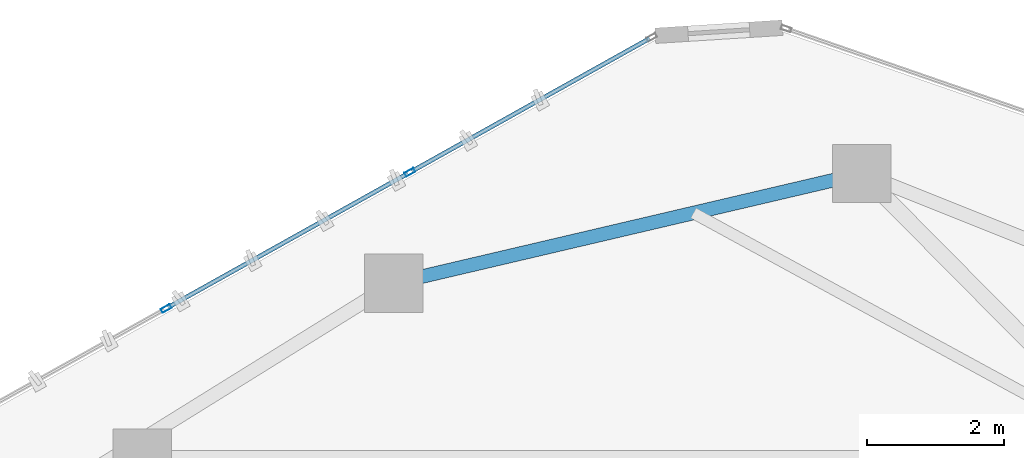
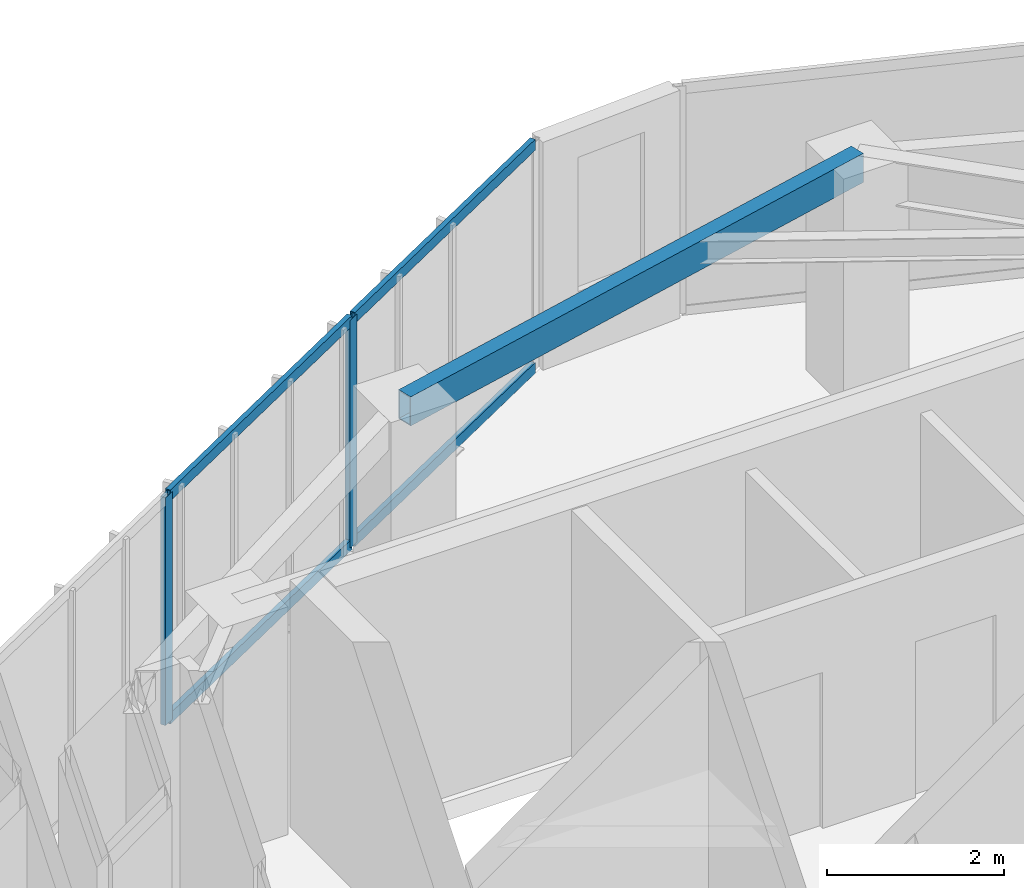
# One storey, part 11 of 20: 6 members, 1 beam, 1 element without a shape of its own.
"""IFC4 building model written with IfcOpenShell, lengths in metres."""

from ifc_helpers import new_model, si_unit, direction, frame, origin, origin_2d, place, context, subcontext, project, spatial, hollow_rectangle, extrude, source, transform, mapped, material, layer, layer_set, material_profile, profile_set, type_object, type_shapes, element, aggregate, save


model = new_model("IFC4")

# Units and contexts
model_context = context("Model", 3, precision=1e-05, world=origin(), true_north=direction((0.0, 1.0)))
body_context = subcontext(model_context, "Body", "Model", "MODEL_VIEW")
ifc_project = project(units=[si_unit("LENGTHUNIT", "METRE"), si_unit("AREAUNIT", "SQUARE_METRE"), si_unit("VOLUMEUNIT", "CUBIC_METRE"), si_unit("PLANEANGLEUNIT", "RADIAN"), si_unit("MASSUNIT", "GRAM", prefix="KILO")], contexts=[model_context])

# Site, building, storey
site_placement = place(None, origin())
site = spatial("IfcSite", under=ifc_project, at=site_placement, CompositionType="ELEMENT")
building_placement = place(site_placement, origin())
building = spatial("IfcBuilding", under=site, at=building_placement, Name="Talar Marvaseh", CompositionType="ELEMENT")
storey_placement = place(building_placement, frame((0.0, 0.0, 257.800048828125)))
storey = spatial("IfcBuildingStorey", under=building, at=storey_placement, Name="L68", CompositionType="ELEMENT", Elevation=257.800048828125)

# Beam
ifc_material_1 = material(Name="Steel S355", Category="steel")
ifc_material_profile_1 = material_profile(ifc_material_1, hollow_rectangle(XDim=0.199951171875, YDim=0.39990234375, WallThickness=0.013916015625, at=origin_2d()), Name="RHS400x200x14")
ifc_profile_set_1 = profile_set([ifc_material_profile_1], Name="Steel S355")
beam_type = type_object("IfcBeamType", Name="Zone 3 Perimeter Spandrel Beam RHS400x200x14", PredefinedType="SPANDREL", material=ifc_profile_set_1)
beam_placement = place(storey_placement, frame((22.364990234375, 39.4541015625, 2.93994140625), z_axis=(0.973655602276, 0.228023613157, 0.0), x_axis=(-0.228023613157, 0.973655602276, 0.0)))
element("IfcBeam", 1, at=beam_placement, inside=storey, type_object=beam_type, Name="L68 Zone 3 Perimeter Spandrel Beam RHS400x200x14", PredefinedType="SPANDREL", context=body_context, shape_type="SweptSolid", body=[
    extrude(hollow_rectangle(XDim=0.199951171875, YDim=0.39990234375, WallThickness=0.013916015625, at=origin_2d()), origin(), (0.0, 0.0, 1.0), 7.007568359375),
])

# Curtain wall, members
ifc_material_2 = material(Name="Architectural Aluminium", Category="aluminium")
ifc_layer = layer(ifc_material_2, 0.179931640625)
ifc_layer_set = layer_set([ifc_layer], Name="Architectural Aluminium")
curtain_wall_type = type_object("IfcCurtainWallType", Name="Unitised High-Wind Sky Curtain Wall Z4", PredefinedType="NOTDEFINED", material=ifc_layer_set)
curtain_wall_placement = place(storey_placement, origin())
curtain_wall = element("IfcCurtainWall", 2, at=curtain_wall_placement, inside=storey, type_object=curtain_wall_type, Name="L68 Unitised High-Wind Sky Curtain Wall Z4", PredefinedType="NOTDEFINED")
ifc_material_profile_2 = material_profile(ifc_material_2, hollow_rectangle(XDim=0.06494140625, YDim=0.14990234375, WallThickness=0.00390625, at=origin_2d()), Name="RHS150x65x4")
ifc_profile_set_2 = profile_set([ifc_material_profile_2], Name="Architectural Aluminium")
member_type_1 = type_object("IfcMemberType", Name="Unitised Curtain Wall Slim Mullion RHS150x65x4", PredefinedType="MULLION", material=ifc_profile_set_2)
shared_shape_1 = source(origin(), body_context, "Body", "SweptSolid", [
    extrude(hollow_rectangle(XDim=0.06494140625, YDim=0.14990234375, WallThickness=0.00390625, at=origin_2d()), origin(), (0.0, 0.0, 1.0), 3.139892578125),
])
type_shapes(member_type_1, [shared_shape_1])
member_1_placement = place(storey_placement, frame((19.04736328125, 39.08544921875, 0.0), z_axis=(0.0, 0.0, 1.0), x_axis=(-0.487589427747, 0.873073049607, 0.0)))
member_1 = element("IfcMember", 3, at=member_1_placement, type_object=member_type_1, Name="CW-Z4 mullion 2", PredefinedType="MULLION", context=body_context, shape_type="MappedRepresentation", body=[
    mapped(shared_shape_1, transform((0.0, 0.0, 0.0), x_axis=(1.0, 0.0, 0.0), y_axis=(0.0, 1.0, 0.0), z_axis=(0.0, 0.0, 1.0), scale=1.0)),
])
member_2_placement = place(storey_placement, frame((22.599609375, 41.069091796875, 0.0), z_axis=(0.0, 0.0, 1.0), x_axis=(-0.487589427747, 0.873073049607, 0.0)))
member_2 = element("IfcMember", 4, at=member_2_placement, type_object=member_type_1, Name="CW-Z4 mullion 3", PredefinedType="MULLION", context=body_context, shape_type="MappedRepresentation", body=[
    mapped(shared_shape_1, transform((0.0, 0.0, 0.0), x_axis=(1.0, 0.0, 0.0), y_axis=(0.0, 1.0, 0.0), z_axis=(0.0, 0.0, 1.0), scale=1.0)),
])
ifc_material_profile_3 = material_profile(ifc_material_2, hollow_rectangle(XDim=0.06494140625, YDim=0.14990234375, WallThickness=0.00390625, at=origin_2d()), Name="RHS150x65x4")
ifc_profile_set_3 = profile_set([ifc_material_profile_3], Name="Architectural Aluminium")
member_type_2 = type_object("IfcMemberType", Name="Unitised Curtain Wall Slim Transom RHS150x65x4", PredefinedType="USERDEFINED", material=ifc_profile_set_3)
shared_shape_2 = source(origin(), body_context, "Body", "SweptSolid", [
    extrude(hollow_rectangle(XDim=0.06494140625, YDim=0.14990234375, WallThickness=0.00390625, at=origin_2d()), origin(), (0.0, 0.0, 1.0), 3.97119140625),
])
member_3_placement = place(storey_placement, frame((22.6279296875, 41.0849609375, 0.032470703125), z_axis=(0.873070504778, 0.487593984465, 0.0), x_axis=(-0.487593984465, 0.873070504778, 0.0)))
member_3 = element("IfcMember", 5, at=member_3_placement, type_object=member_type_2, Name="CW-Z4 transom 3.1", ObjectType="TRANSOM", PredefinedType="USERDEFINED", context=body_context, shape_type="MappedRepresentation", body=[
    mapped(shared_shape_2, transform((0.0, 0.0, 0.0), x_axis=(1.0, 0.0, 0.0), y_axis=(0.0, 1.0, 0.0), z_axis=(0.0, 0.0, 1.0), scale=1.0)),
])
member_4_placement = place(storey_placement, frame((22.6279296875, 41.0849609375, 3.107421875), z_axis=(0.873070504778, 0.487593984465, 0.0), x_axis=(-0.487593984465, 0.873070504778, 0.0)))
member_4 = element("IfcMember", 6, at=member_4_placement, type_object=member_type_2, Name="CW-Z4 transom 3.2", ObjectType="TRANSOM", PredefinedType="USERDEFINED", context=body_context, shape_type="MappedRepresentation", body=[
    mapped(shared_shape_2, transform((0.0, 0.0, 0.0), x_axis=(1.0, 0.0, 0.0), y_axis=(0.0, 1.0, 0.0), z_axis=(0.0, 0.0, 1.0), scale=1.0)),
])
shared_shape_3 = source(origin(), body_context, "Body", "SweptSolid", [
    extrude(hollow_rectangle(XDim=0.06494140625, YDim=0.14990234375, WallThickness=0.00390625, at=origin_2d()), origin(), (0.0, 0.0, 1.0), 4.003662109375),
])
type_shapes(member_type_2, [shared_shape_2, shared_shape_3])
member_5_placement = place(storey_placement, frame((19.07568359375, 39.10107421875, 0.032470703125), z_axis=(0.87307939204, 0.487578070872, 0.0), x_axis=(-0.487578070872, 0.87307939204, 0.0)))
member_5 = element("IfcMember", 7, at=member_5_placement, type_object=member_type_2, Name="CW-Z4 transom 2.1", ObjectType="TRANSOM", PredefinedType="USERDEFINED", context=body_context, shape_type="MappedRepresentation", body=[
    mapped(shared_shape_3, transform((0.0, 0.0, 0.0), x_axis=(1.0, 0.0, 0.0), y_axis=(0.0, 1.0, 0.0), z_axis=(0.0, 0.0, 1.0), scale=1.0)),
])
member_6_placement = place(storey_placement, frame((19.07568359375, 39.10107421875, 3.107421875), z_axis=(0.87307939204, 0.487578070872, 0.0), x_axis=(-0.487578070872, 0.87307939204, 0.0)))
member_6 = element("IfcMember", 8, at=member_6_placement, type_object=member_type_2, Name="CW-Z4 transom 2.2", ObjectType="TRANSOM", PredefinedType="USERDEFINED", context=body_context, shape_type="MappedRepresentation", body=[
    mapped(shared_shape_3, transform((0.0, 0.0, 0.0), x_axis=(1.0, 0.0, 0.0), y_axis=(0.0, 1.0, 0.0), z_axis=(0.0, 0.0, 1.0), scale=1.0)),
])
aggregate(curtain_wall, [member_1, member_2, member_5, member_6, member_3, member_4])

save(model, "model.ifc")
